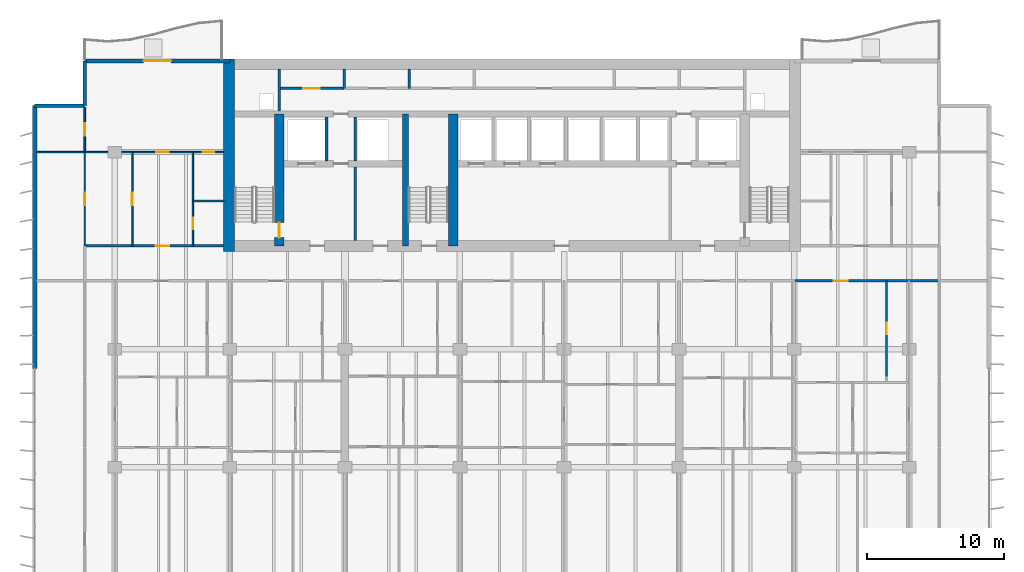
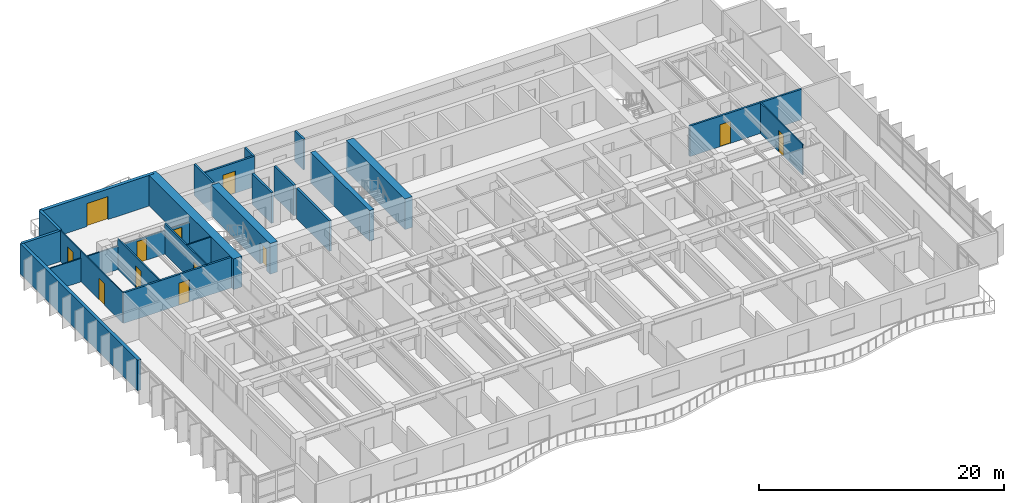
# One storey, part 10 of 17: 24 walls, 12 doors, 12 openings.
"""IFC4 building model written with IfcOpenShell, lengths in metres."""

from ifc_helpers import new_model, si_unit, direction, frame, frame_2d, origin, place, context, subcontext, project, spatial, rectangle, extrude, material, layer, layer_set, type_object, element, fill, save


model = new_model("IFC4")

# Units and contexts
model_context = context("Model", 3, precision=1e-05, world=origin(), true_north=direction((0.0, 1.0)))
body_context = subcontext(model_context, "Body", "Model", "MODEL_VIEW")
ifc_project = project(units=[si_unit("LENGTHUNIT", "METRE"), si_unit("AREAUNIT", "SQUARE_METRE"), si_unit("VOLUMEUNIT", "CUBIC_METRE"), si_unit("PLANEANGLEUNIT", "RADIAN"), si_unit("MASSUNIT", "GRAM", prefix="KILO")], contexts=[model_context])

# Site, building, storey
site_placement = place(None, origin())
site = spatial("IfcSite", under=ifc_project, at=site_placement, CompositionType="ELEMENT")
building_placement = place(site_placement, origin())
building = spatial("IfcBuilding", under=site, at=building_placement, Name="Caelmar Bay Residences", CompositionType="ELEMENT")
storey_placement = place(building_placement, frame((0.0, 0.0, 87.89990234375)))
storey = spatial("IfcBuildingStorey", under=building, at=storey_placement, Name="L23", CompositionType="ELEMENT", Elevation=87.89990234375)

# Wall, opening, door
ifc_material_1 = material(Name="Concrete f'c 55 MPa (8,000 psi)", Category="concrete")
ifc_layer_1 = layer(ifc_material_1, 0.699951171875)
ifc_layer_set_1 = layer_set([ifc_layer_1], Name="Concrete f'c 55 MPa (8,000 psi)")
wall_type_1 = type_object("IfcWallType", Name="SW-COR-700", PredefinedType="SHEAR", material=ifc_layer_set_1)
wall_1_placement = place(storey_placement, frame((21.89990234375, 36.949951171875, 0.0), z_axis=(0.0, 0.0, 1.0), x_axis=(0.0, 1.0, 0.0)))
wall_1 = element("IfcWall", 1, at=wall_1_placement, inside=storey, type_object=wall_type_1, Name="L23 Core Structural Web Wall ST1E", PredefinedType="SHEAR", context=body_context, shape_type="SweptSolid", body=[
    extrude(rectangle(XDim=9.625, YDim=0.699951171875, at=frame_2d((4.8125, 0.0))), origin(), (0.0, 0.0, 1.0), 3.050048828125),
])
opening_1_placement = place(wall_1_placement, frame((0.60009765625, 0.0, 0.0)))
opening_1 = element("IfcOpeningElement", 2, at=opening_1_placement, cuts=wall_1, Name="Opening D-L23-108", PredefinedType="OPENING", context=body_context, shape_type="SweptSolid", body=[
    extrude(rectangle(XDim=1.10009765625, YDim=2.14990234375, at=frame_2d((0.550048828125, 1.074951171875))), frame((0.0, 0.35986328125, 0.0), z_axis=(0.0, -1.0, 0.0), x_axis=(1.0, 0.0, 0.0)), (0.0, 0.0, 1.0), 0.719970703125),
])
ifc_material_2 = material(Name="Fire-rated steel and walnut architectural door assembly", Category="steel")
ifc_layer_2 = layer(ifc_material_2, 0.050048828125)
ifc_layer_set_2 = layer_set([ifc_layer_2], Name="Fire-rated steel and walnut architectural door assembly")
door_type_1 = type_object("IfcDoorType", Name="D-STAIR-1100", OperationType="NOTDEFINED", PredefinedType="DOOR", material=ifc_layer_set_2)
door_1_placement = place(opening_1_placement, origin())
door_1 = element("IfcDoor", 3, at=door_1_placement, inside=storey, type_object=door_type_1, Name="L23 Firefighting Lobby West Door", OperationType="SINGLE_SWING_RIGHT", OverallHeight=2.14990234375, OverallWidth=1.10009765625, PredefinedType="DOOR", context=body_context, shape_type="SweptSolid", body=[
    extrude(rectangle(XDim=1.10009765625, YDim=2.14990234375, at=frame_2d((0.550048828125, 1.074951171875))), frame((0.0, 0.02490234375, 0.0), z_axis=(0.0, -1.0, 0.0), x_axis=(1.0, 0.0, 0.0)), (0.0, 0.0, 1.0), 0.050048828125),
])
fill(opening_1, door_1)

# Walls
wall_2_placement = place(storey_placement, frame((34.60009765625, 36.949951171875, 0.0), z_axis=(0.0, 0.0, 1.0), x_axis=(0.0, 1.0, 0.0)))
element("IfcWall", 4, at=wall_2_placement, inside=storey, type_object=wall_type_1, Name="L23 Core Structural Web Wall ST3E", PredefinedType="SHEAR", context=body_context, shape_type="SweptSolid", body=[
    extrude(rectangle(XDim=9.625, YDim=0.699951171875, at=frame_2d((4.8125, 0.0))), origin(), (0.0, 0.0, 1.0), 3.050048828125),
])
ifc_material_3 = material(Name="Concrete f'c 70 MPa (10,000 psi)", Category="concrete")
ifc_layer_3 = layer(ifc_material_3, 0.800048828125)
ifc_layer_set_3 = layer_set([ifc_layer_3], Name="Concrete f'c 70 MPa (10,000 psi)")
wall_type_2 = type_object("IfcWallType", Name="SW-COR-800", PredefinedType="SHEAR", material=ifc_layer_set_3)
wall_3_placement = place(storey_placement, frame((18.25, 36.550048828125, 0.0), z_axis=(0.0, 0.0, 1.0), x_axis=(0.0, 1.0, 0.0)))
element("IfcWall", 5, at=wall_3_placement, inside=storey, type_object=wall_type_2, Name="L23 Rear Core West Shear Wall", PredefinedType="SHEAR", context=body_context, shape_type="SweptSolid", body=[
    extrude(rectangle(XDim=14.050048828125, YDim=0.800048828125, at=frame_2d((7.02490234375, 0.0))), origin(), (0.0, 0.0, 1.0), 3.050048828125),
])
ifc_layer_4 = layer(ifc_material_3, 0.449951171875)
ifc_layer_set_4 = layer_set([ifc_layer_4], Name="Concrete f'c 70 MPa (10,000 psi)")
wall_type_3 = type_object("IfcWallType", Name="SW-WEB-450", PredefinedType="SHEAR", material=ifc_layer_set_4)
wall_4_placement = place(storey_placement, frame((31.125, 36.949951171875, 0.0), z_axis=(0.0, 0.0, 1.0), x_axis=(0.0, 1.0, 0.0)))
element("IfcWall", 6, at=wall_4_placement, inside=storey, type_object=wall_type_3, Name="L23 Core Structural Web Wall ST3W", PredefinedType="SHEAR", context=body_context, shape_type="SweptSolid", body=[
    extrude(rectangle(XDim=9.625, YDim=0.449951171875, at=frame_2d((4.8125, 0.0))), origin(), (0.0, 0.0, 1.0), 3.050048828125),
])
ifc_material_4 = material(Name="Double-stud acoustic fire-rated gypsum partition 180 mm")
ifc_layer_5 = layer(ifc_material_4, 0.179931640625)
ifc_layer_set_5 = layer_set([ifc_layer_5], Name="Double-stud acoustic fire-rated gypsum partition 180 mm")
wall_type_4 = type_object("IfcWallType", Name="W-COR-200", PredefinedType="PARTITIONING", material=ifc_layer_set_5)
for number, where, z_axis, x_axis, name in (
    (7, (26.64990234375, 48.449951171875, 0.0), (0.0, 0.0, 1.0), (0.0, 1.0, 0.0), "L23 Partition Wall V033"),
    (8, (31.39990234375, 48.449951171875, 0.0), (0.0, 0.0, 1.0), (0.0, 1.0, 0.0), "L23 Partition Wall V043"),
):
    element("IfcWall", number, at=place(storey_placement, frame(where, z_axis=z_axis, x_axis=x_axis)), inside=storey, type_object=wall_type_4, Name=name, PredefinedType="PARTITIONING", context=body_context, shape_type="SweptSolid", body=[
        extrude(rectangle(XDim=1.405029296875, YDim=0.179931640625, at=frame_2d((0.70263671875, 0.0))), origin(), (0.0, 0.0, 1.0), 3.050048828125),
    ])

# Wall, opening, door
wall_5_placement = place(storey_placement, frame((59.550048828125, 34.39990234375, 0.0), z_axis=(0.0, 0.0, 1.0), x_axis=(1.0, 0.0, 0.0)))
wall_5 = element("IfcWall", 9, at=wall_5_placement, inside=storey, type_object=wall_type_4, Name="L23 Partition Wall H134", PredefinedType="PARTITIONING", context=body_context, shape_type="SweptSolid", body=[
    extrude(rectangle(XDim=10.550048828125, YDim=0.179931640625, at=frame_2d((5.27490234375, 0.0))), origin(), (0.0, 0.0, 1.0), 3.050048828125),
])
opening_2_placement = place(wall_5_placement, frame((2.85009765625, 0.0, 0.0)))
opening_2 = element("IfcOpeningElement", 10, at=opening_2_placement, cuts=wall_5, Name="Opening D-L23-161", PredefinedType="OPENING", context=body_context, shape_type="SweptSolid", body=[
    extrude(rectangle(XDim=1.0, YDim=2.199951171875, at=frame_2d((0.5, 1.10009765625))), frame((0.0, 0.099853515625, 0.0), z_axis=(0.0, -1.0, 0.0), x_axis=(1.0, 0.0, 0.0)), (0.0, 0.0, 1.0), 0.199951171875),
])
ifc_layer_6 = layer(ifc_material_2, 0.050048828125)
ifc_layer_set_6 = layer_set([ifc_layer_6], Name="Fire-rated steel and walnut architectural door assembly")
door_type_2 = type_object("IfcDoorType", Name="D-UNIT-1000", OperationType="NOTDEFINED", PredefinedType="DOOR", material=ifc_layer_set_6)
door_2_placement = place(opening_2_placement, origin())
door_2 = element("IfcDoor", 11, at=door_2_placement, inside=storey, type_object=door_type_2, Name="L23 Residence 06 Apartment Hall Door", OperationType="SINGLE_SWING_LEFT", OverallHeight=2.199951171875, OverallWidth=1.0, PredefinedType="DOOR", context=body_context, shape_type="SweptSolid", body=[
    extrude(rectangle(XDim=1.0, YDim=2.199951171875, at=frame_2d((0.5, 1.10009765625))), frame((0.0, 0.02490234375, 0.0), z_axis=(0.0, -1.0, 0.0), x_axis=(1.0, 0.0, 0.0)), (0.0, 0.0, 1.0), 0.050048828125),
])
fill(opening_2, door_2)

wall_6_placement = place(storey_placement, frame((7.699951171875, 36.949951171875, 0.0), z_axis=(0.0, 0.0, 1.0), x_axis=(1.0, 0.0, 0.0)))
wall_6 = element("IfcWall", 12, at=wall_6_placement, inside=storey, type_object=wall_type_4, Name="L23 Partition Wall H136", PredefinedType="PARTITIONING", context=body_context, shape_type="SweptSolid", body=[
    extrude(rectangle(XDim=10.14501953125, YDim=0.179931640625, at=frame_2d((5.072509765625, 0.0))), origin(), (0.0, 0.0, 1.0), 3.050048828125),
])
opening_3_placement = place(wall_6_placement, frame((5.18798828125, 0.0, 0.0)))
opening_3 = element("IfcOpeningElement", 13, at=opening_3_placement, cuts=wall_6, Name="Opening D-L23-172", PredefinedType="OPENING", context=body_context, shape_type="SweptSolid", body=[
    extrude(rectangle(XDim=1.0, YDim=2.199951171875, at=frame_2d((0.5, 1.10009765625))), frame((0.0, 0.099853515625, 0.0), z_axis=(0.0, -1.0, 0.0), x_axis=(1.0, 0.0, 0.0)), (0.0, 0.0, 1.0), 0.199951171875),
])
door_3_placement = place(opening_3_placement, origin())
door_3 = element("IfcDoor", 14, at=door_3_placement, inside=storey, type_object=door_type_2, Name="L23 Residence WA Kitchen Door", OperationType="SINGLE_SWING_RIGHT", OverallHeight=2.199951171875, OverallWidth=1.0, PredefinedType="DOOR", context=body_context, shape_type="SweptSolid", body=[
    extrude(rectangle(XDim=1.0, YDim=2.199951171875, at=frame_2d((0.5, 1.10009765625))), frame((0.0, 0.02490234375, 0.0), z_axis=(0.0, -1.0, 0.0), x_axis=(1.0, 0.0, 0.0)), (0.0, 0.0, 1.0), 0.050048828125),
])
fill(opening_3, door_3)

wall_7_placement = place(storey_placement, frame((21.89990234375, 48.449951171875, 0.0), z_axis=(0.0, 0.0, 1.0), x_axis=(1.0, 0.0, 0.0)))
wall_7 = element("IfcWall", 15, at=wall_7_placement, inside=storey, type_object=wall_type_4, Name="L23 Partition Wall H142", PredefinedType="PARTITIONING", context=body_context, shape_type="SweptSolid", body=[
    extrude(rectangle(XDim=4.75, YDim=0.179931640625, at=frame_2d((2.375, 0.0))), origin(), (0.0, 0.0, 1.0), 3.050048828125),
])
opening_4_placement = place(wall_7_placement, frame((1.77490234375, 0.0, 0.0)))
opening_4 = element("IfcOpeningElement", 16, at=opening_4_placement, cuts=wall_7, Name="Opening D-L23-117", PredefinedType="OPENING", context=body_context, shape_type="SweptSolid", body=[
    extrude(rectangle(XDim=1.199951171875, YDim=2.199951171875, at=frame_2d((0.60009765625, 1.10009765625))), frame((0.0, 0.099853515625, 0.0), z_axis=(0.0, -1.0, 0.0), x_axis=(1.0, 0.0, 0.0)), (0.0, 0.0, 1.0), 0.199951171875),
])
ifc_layer_7 = layer(ifc_material_2, 0.050048828125)
ifc_layer_set_7 = layer_set([ifc_layer_7], Name="Fire-rated steel and walnut architectural door assembly")
door_type_3 = type_object("IfcDoorType", Name="D-PLANT-1200", OperationType="NOTDEFINED", PredefinedType="DOOR", material=ifc_layer_set_7)
door_4_placement = place(opening_4_placement, origin())
door_4 = element("IfcDoor", 17, at=door_4_placement, inside=storey, type_object=door_type_3, Name="L23 Branch Panel Closet Door", OperationType="SINGLE_SWING_LEFT", OverallHeight=2.199951171875, OverallWidth=1.199951171875, PredefinedType="DOOR", context=body_context, shape_type="SweptSolid", body=[
    extrude(rectangle(XDim=1.199951171875, YDim=2.199951171875, at=frame_2d((0.60009765625, 1.10009765625))), frame((0.0, 0.02490234375, 0.0), z_axis=(0.0, -1.0, 0.0), x_axis=(1.0, 0.0, 0.0)), (0.0, 0.0, 1.0), 0.050048828125),
])
fill(opening_4, door_4)

# Walls
ifc_material_5 = material(Name="Precast concrete f'c 40 MPa (6,000 psi)", Category="concrete")
ifc_layer_8 = layer(ifc_material_5, 0.25)
ifc_layer_set_8 = layer_set([ifc_layer_8], Name="Precast concrete f'c 40 MPa (6,000 psi)")
wall_type_5 = type_object("IfcWallType", Name="W-EXT-250", PredefinedType="ELEMENTEDWALL", material=ifc_layer_set_8)
wall_8_placement = place(storey_placement, frame((4.050048828125, 47.199951171875, 0.0), z_axis=(0.0, 0.0, 1.0), x_axis=(1.0, 0.0, 0.0)))
element("IfcWall", 18, at=wall_8_placement, inside=storey, type_object=wall_type_5, Name="L23 NNW-H Notch Wall", PredefinedType="ELEMENTEDWALL", context=body_context, shape_type="SweptSolid", body=[
    extrude(rectangle(XDim=3.64990234375, YDim=0.25, at=frame_2d((1.824951171875, 0.0))), origin(), (0.0, 0.0, 1.0), 3.050048828125),
])
wall_9_placement = place(storey_placement, frame((7.699951171875, 47.199951171875, 0.0), z_axis=(0.0, 0.0, 1.0), x_axis=(0.0, 1.0, 0.0)))
element("IfcWall", 19, at=wall_9_placement, inside=storey, type_object=wall_type_5, Name="L23 NNW-V Notch Wall", PredefinedType="ELEMENTEDWALL", context=body_context, shape_type="SweptSolid", body=[
    extrude(rectangle(XDim=3.25, YDim=0.25, at=frame_2d((1.625, 0.0))), origin(), (0.0, 0.0, 1.0), 3.050048828125),
])
ifc_layer_9 = layer(ifc_material_5, 0.300048828125)
ifc_layer_set_9 = layer_set([ifc_layer_9], Name="Precast concrete f'c 40 MPa (6,000 psi)")
wall_type_6 = type_object("IfcWallType", Name="W-EXT-300", PredefinedType="STANDARD", material=ifc_layer_set_9)
wall_10_placement = place(storey_placement, frame((4.050048828125, 28.0, 0.0), z_axis=(0.0, 0.0, 1.0), x_axis=(0.0, 1.0, 0.0)))
element("IfcWall", 20, at=wall_10_placement, inside=storey, type_object=wall_type_6, Name="L23 West Rear Exterior Wall", PredefinedType="STANDARD", context=body_context, shape_type="SweptSolid", body=[
    extrude(rectangle(XDim=19.199951171875, YDim=0.300048828125, at=frame_2d((9.60009765625, 0.0))), origin(), (0.0, 0.0, 1.0), 3.050048828125),
])

# Wall, opening, door
wall_11_placement = place(storey_placement, frame((7.699951171875, 50.449951171875, 0.0), z_axis=(0.0, 0.0, 1.0), x_axis=(1.0, 0.0, 0.0)))
wall_11 = element("IfcWall", 21, at=wall_11_placement, inside=storey, type_object=wall_type_6, Name="L23 North-West Wing Exterior Wall", PredefinedType="STANDARD", context=body_context, shape_type="SweptSolid", body=[
    extrude(rectangle(XDim=10.60009765625, YDim=0.300048828125, at=frame_2d((5.300048828125, 0.0))), origin(), (0.0, 0.0, 1.0), 3.050048828125),
])
opening_5_placement = place(wall_11_placement, frame((4.300048828125, 0.0, 0.0)))
opening_5 = element("IfcOpeningElement", 22, at=opening_5_placement, cuts=wall_11, Name="Opening L23-BDNW", PredefinedType="OPENING", context=body_context, shape_type="SweptSolid", body=[
    extrude(rectangle(XDim=2.0, YDim=2.300048828125, at=frame_2d((1.0, 1.14990234375))), frame((0.0, 0.159912109375, 0.0), z_axis=(0.0, -1.0, 0.0), x_axis=(1.0, 0.0, 0.0)), (0.0, 0.0, 1.0), 0.320068359375),
])
ifc_material_6 = material(Name="Anodised bronze thermally broken sliding glass door", Category="glass")
ifc_layer_10 = layer(ifc_material_6, 0.050048828125)
ifc_layer_set_10 = layer_set([ifc_layer_10], Name="Anodised bronze thermally broken sliding glass door")
door_type_4 = type_object("IfcDoorType", Name="D-BAL-2000", OperationType="DOUBLE_DOOR_SLIDING", PredefinedType="DOOR", material=ifc_layer_set_10)
door_5_placement = place(opening_5_placement, origin())
door_5 = element("IfcDoor", 23, at=door_5_placement, inside=storey, type_object=door_type_4, Name="L23 North-West Balcony Door", OperationType="DOUBLE_DOOR_SLIDING", OverallHeight=2.300048828125, OverallWidth=2.0, PredefinedType="DOOR", context=body_context, shape_type="SweptSolid", body=[
    extrude(rectangle(XDim=2.0, YDim=2.300048828125, at=frame_2d((1.0, 1.14990234375))), frame((0.0, 0.02490234375, 0.0), z_axis=(0.0, -1.0, 0.0), x_axis=(1.0, 0.0, 0.0)), (0.0, 0.0, 1.0), 0.050048828125),
])
fill(opening_5, door_5)

# Walls
ifc_material_7 = material(Name="Fire-rated masonry and gypsum shaftliner assembly 200 mm", Category="masonry")
ifc_layer_11 = layer(ifc_material_7, 0.199951171875)
ifc_layer_set_11 = layer_set([ifc_layer_11], Name="Fire-rated masonry and gypsum shaftliner assembly 200 mm")
wall_type_7 = type_object("IfcWallType", Name="W-FSAE-200", PredefinedType="PARTITIONING", material=ifc_layer_set_11)
wall_12_placement = place(storey_placement, frame((21.89990234375, 46.794921875, 0.0), z_axis=(0.0, 0.0, 1.0), x_axis=(0.0, 1.0, 0.0)))
element("IfcWall", 24, at=wall_12_placement, inside=storey, type_object=wall_type_7, Name="L23 Partition Wall V025", PredefinedType="PARTITIONING", context=body_context, shape_type="SweptSolid", body=[
    extrude(rectangle(XDim=3.06005859375, YDim=0.199951171875, at=frame_2d((1.530029296875, 0.0))), origin(), (0.0, 0.0, 1.0), 3.050048828125),
])
wall_13_placement = place(storey_placement, frame((25.35009765625, 43.169921875, 0.0), z_axis=(0.0, 0.0, 1.0), x_axis=(0.0, 1.0, 0.0)))
element("IfcWall", 25, at=wall_13_placement, inside=storey, type_object=wall_type_7, Name="L23 Partition Wall V032", PredefinedType="PARTITIONING", context=body_context, shape_type="SweptSolid", body=[
    extrude(rectangle(XDim=3.18505859375, YDim=0.199951171875, at=frame_2d((1.592529296875, 0.0))), origin(), (0.0, 0.0, 1.0), 3.050048828125),
])
wall_14_placement = place(storey_placement, frame((27.449951171875, 37.344970703125, 0.0), z_axis=(0.0, 0.0, 1.0), x_axis=(0.0, 1.0, 0.0)))
element("IfcWall", 26, at=wall_14_placement, inside=storey, type_object=wall_type_7, Name="L23 Partition Wall V037", PredefinedType="PARTITIONING", context=body_context, shape_type="SweptSolid", body=[
    extrude(rectangle(XDim=5.385009765625, YDim=0.199951171875, at=frame_2d((2.6923828125, 0.0))), origin(), (0.0, 0.0, 1.0), 3.050048828125),
])
wall_15_placement = place(storey_placement, frame((27.449951171875, 43.169921875, 0.0), z_axis=(0.0, 0.0, 1.0), x_axis=(0.0, 1.0, 0.0)))
element("IfcWall", 27, at=wall_15_placement, inside=storey, type_object=wall_type_7, Name="L23 Partition Wall V038", PredefinedType="PARTITIONING", context=body_context, shape_type="SweptSolid", body=[
    extrude(rectangle(XDim=3.18505859375, YDim=0.199951171875, at=frame_2d((1.592529296875, 0.0))), origin(), (0.0, 0.0, 1.0), 3.050048828125),
])

# Wall, opening, door
ifc_material_8 = material(Name="Anodised bronze framed acoustic sliding study partition 100 mm")
ifc_layer_12 = layer(ifc_material_8, 0.10009765625)
ifc_layer_set_12 = layer_set([ifc_layer_12], Name="Anodised bronze framed acoustic sliding study partition 100 mm")
wall_type_8 = type_object("IfcWallType", Name="W-MOV-100", PredefinedType="MOVABLE", material=ifc_layer_set_12)
wall_16_placement = place(storey_placement, frame((7.699951171875, 36.955078125, 0.0), z_axis=(0.0, 0.0, 1.0), x_axis=(0.0, 1.0, 0.0)))
wall_16 = element("IfcWall", 28, at=wall_16_placement, inside=storey, type_object=wall_type_8, Name="L23 Partition Wall V006", PredefinedType="MOVABLE", context=body_context, shape_type="SweptSolid", body=[
    extrude(rectangle(XDim=6.844970703125, YDim=0.10009765625, at=frame_2d((3.42236328125, 0.0))), origin(), (0.0, 0.0, 1.0), 3.050048828125),
])
opening_6_placement = place(wall_16_placement, frame((2.972412109375, 0.0, 0.0)))
opening_6 = element("IfcOpeningElement", 29, at=opening_6_placement, cuts=wall_16, Name="Opening D-L23-176", PredefinedType="OPENING", context=body_context, shape_type="SweptSolid", body=[
    extrude(rectangle(XDim=0.89990234375, YDim=2.14990234375, at=frame_2d((0.449951171875, 1.074951171875))), frame((0.0, 0.06005859375, 0.0), z_axis=(0.0, -1.0, 0.0), x_axis=(1.0, 0.0, 0.0)), (0.0, 0.0, 1.0), 0.1201171875),
])
ifc_material_9 = material(Name="Solid walnut timber interior door leaf and frame", Category="wood")
ifc_layer_13 = layer(ifc_material_9, 0.050048828125)
ifc_layer_set_13 = layer_set([ifc_layer_13], Name="Solid walnut timber interior door leaf and frame")
door_type_5 = type_object("IfcDoorType", Name="D-ROOM-900", OperationType="NOTDEFINED", PredefinedType="DOOR", material=ifc_layer_set_13)
door_6_placement = place(opening_6_placement, origin())
door_6 = element("IfcDoor", 30, at=door_6_placement, inside=storey, type_object=door_type_5, Name="L23 Residence WA Sun Study Door", OperationType="SINGLE_SWING_RIGHT", OverallHeight=2.14990234375, OverallWidth=0.89990234375, PredefinedType="DOOR", context=body_context, shape_type="SweptSolid", body=[
    extrude(rectangle(XDim=0.89990234375, YDim=2.14990234375, at=frame_2d((0.449951171875, 1.074951171875))), frame((0.0, 0.02490234375, 0.0), z_axis=(0.0, -1.0, 0.0), x_axis=(1.0, 0.0, 0.0)), (0.0, 0.0, 1.0), 0.050048828125),
])
fill(opening_6, door_6)

ifc_material_10 = material(Name="Acoustic metal-stud gypsum partition 120 mm")
ifc_layer_14 = layer(ifc_material_10, 0.1201171875)
ifc_layer_set_14 = layer_set([ifc_layer_14], Name="Acoustic metal-stud gypsum partition 120 mm")
wall_type_9 = type_object("IfcWallType", Name="W-PRT-120", PredefinedType="PARTITIONING", material=ifc_layer_set_14)
wall_17_placement = place(storey_placement, frame((7.699951171875, 43.804931640625, 0.0), z_axis=(0.0, 0.0, 1.0), x_axis=(0.0, 1.0, 0.0)))
wall_17 = element("IfcWall", 31, at=wall_17_placement, inside=storey, type_object=wall_type_9, Name="L23 Partition Wall V007", PredefinedType="PARTITIONING", context=body_context, shape_type="SweptSolid", body=[
    extrude(rectangle(XDim=3.275146484375, YDim=0.1201171875, at=frame_2d((1.6376953125, 0.0))), origin(), (0.0, 0.0, 1.0), 3.050048828125),
])
opening_7_placement = place(wall_17_placement, frame((1.1875, 0.0, 0.0)))
opening_7 = element("IfcOpeningElement", 32, at=opening_7_placement, cuts=wall_17, Name="Opening D-L23-177", PredefinedType="OPENING", context=body_context, shape_type="SweptSolid", body=[
    extrude(rectangle(XDim=0.89990234375, YDim=2.14990234375, at=frame_2d((0.449951171875, 1.074951171875))), frame((0.0, 0.070068359375, 0.0), z_axis=(0.0, -1.0, 0.0), x_axis=(1.0, 0.0, 0.0)), (0.0, 0.0, 1.0), 0.14013671875),
])
door_7_placement = place(opening_7_placement, origin())
door_7 = element("IfcDoor", 33, at=door_7_placement, inside=storey, type_object=door_type_5, Name="L23 Residence WA North Sitting Alcove Door", OperationType="SINGLE_SWING_LEFT", OverallHeight=2.14990234375, OverallWidth=0.89990234375, PredefinedType="DOOR", context=body_context, shape_type="SweptSolid", body=[
    extrude(rectangle(XDim=0.89990234375, YDim=2.14990234375, at=frame_2d((0.449951171875, 1.074951171875))), frame((0.0, 0.02490234375, 0.0), z_axis=(0.0, -1.0, 0.0), x_axis=(1.0, 0.0, 0.0)), (0.0, 0.0, 1.0), 0.050048828125),
])
fill(opening_7, door_7)

wall_18_placement = place(storey_placement, frame((11.176025390625, 36.949951171875, 0.0), z_axis=(0.0, 0.0, 1.0), x_axis=(0.0, 1.0, 0.0)))
wall_18 = element("IfcWall", 34, at=wall_18_placement, inside=storey, type_object=wall_type_9, Name="L23 Partition Wall V013", PredefinedType="PARTITIONING", context=body_context, shape_type="SweptSolid", body=[
    extrude(rectangle(XDim=6.85009765625, YDim=0.1201171875, at=frame_2d((3.425048828125, 0.0))), origin(), (0.0, 0.0, 1.0), 3.050048828125),
])
opening_8_placement = place(wall_18_placement, frame((2.97509765625, 0.0, 0.0)))
opening_8 = element("IfcOpeningElement", 35, at=opening_8_placement, cuts=wall_18, Name="Opening D-L23-171", PredefinedType="OPENING", context=body_context, shape_type="SweptSolid", body=[
    extrude(rectangle(XDim=0.89990234375, YDim=2.14990234375, at=frame_2d((0.449951171875, 1.074951171875))), frame((0.0, 0.070068359375, 0.0), z_axis=(0.0, -1.0, 0.0), x_axis=(1.0, 0.0, 0.0)), (0.0, 0.0, 1.0), 0.14013671875),
])
door_8_placement = place(opening_8_placement, origin())
door_8 = element("IfcDoor", 36, at=door_8_placement, inside=storey, type_object=door_type_5, Name="L23 Residence WA Dining Room Door", OperationType="SINGLE_SWING_LEFT", OverallHeight=2.14990234375, OverallWidth=0.89990234375, PredefinedType="DOOR", context=body_context, shape_type="SweptSolid", body=[
    extrude(rectangle(XDim=0.89990234375, YDim=2.14990234375, at=frame_2d((0.449951171875, 1.074951171875))), frame((0.0, 0.02490234375, 0.0), z_axis=(0.0, -1.0, 0.0), x_axis=(1.0, 0.0, 0.0)), (0.0, 0.0, 1.0), 0.050048828125),
])
fill(opening_8, door_8)

wall_19_placement = place(storey_placement, frame((15.60009765625, 36.949951171875, 0.0), z_axis=(0.0, 0.0, 1.0), x_axis=(0.0, 1.0, 0.0)))
wall_19 = element("IfcWall", 37, at=wall_19_placement, inside=storey, type_object=wall_type_9, Name="L23 Partition Wall V018", PredefinedType="PARTITIONING", context=body_context, shape_type="SweptSolid", body=[
    extrude(rectangle(XDim=6.85009765625, YDim=0.1201171875, at=frame_2d((3.425048828125, 0.0))), origin(), (0.0, 0.0, 1.0), 3.050048828125),
])
opening_9_placement = place(wall_19_placement, frame((1.218994140625, 0.0, 0.0)))
opening_9 = element("IfcOpeningElement", 38, at=opening_9_placement, cuts=wall_19, Name="Opening D-L23-174", PredefinedType="OPENING", context=body_context, shape_type="SweptSolid", body=[
    extrude(rectangle(XDim=0.85009765625, YDim=2.10009765625, at=frame_2d((0.425048828125, 1.050048828125))), frame((0.0, 0.070068359375, 0.0), z_axis=(0.0, -1.0, 0.0), x_axis=(1.0, 0.0, 0.0)), (0.0, 0.0, 1.0), 0.14013671875),
])
ifc_layer_15 = layer(ifc_material_9, 0.050048828125)
ifc_layer_set_15 = layer_set([ifc_layer_15], Name="Solid walnut timber interior door leaf and frame")
door_type_6 = type_object("IfcDoorType", Name="D-BATH-850", OperationType="NOTDEFINED", PredefinedType="DOOR", material=ifc_layer_set_15)
door_9_placement = place(opening_9_placement, origin())
door_9 = element("IfcDoor", 39, at=door_9_placement, inside=storey, type_object=door_type_6, Name="L23 Residence WA Walk-In Closet Door", OperationType="SINGLE_SWING_RIGHT", OverallHeight=2.10009765625, OverallWidth=0.85009765625, PredefinedType="DOOR", context=body_context, shape_type="SweptSolid", body=[
    extrude(rectangle(XDim=0.85009765625, YDim=2.10009765625, at=frame_2d((0.425048828125, 1.050048828125))), frame((0.0, 0.02490234375, 0.0), z_axis=(0.0, -1.0, 0.0), x_axis=(1.0, 0.0, 0.0)), (0.0, 0.0, 1.0), 0.050048828125),
])
fill(opening_9, door_9)

wall_20_placement = place(storey_placement, frame((66.25, 27.43994140625, 0.0), z_axis=(0.0, 0.0, 1.0), x_axis=(0.0, 1.0, 0.0)))
wall_20 = element("IfcWall", 40, at=wall_20_placement, inside=storey, type_object=wall_type_9, Name="L23 Partition Wall V091", PredefinedType="PARTITIONING", context=body_context, shape_type="SweptSolid", body=[
    extrude(rectangle(XDim=6.9599609375, YDim=0.1201171875, at=frame_2d((3.47998046875, 0.0))), origin(), (0.0, 0.0, 1.0), 3.050048828125),
])
opening_10_placement = place(wall_20_placement, frame((3.054931640625, 0.0, 0.0)))
opening_10 = element("IfcOpeningElement", 41, at=opening_10_placement, cuts=wall_20, Name="Opening D-L23-162", PredefinedType="OPENING", context=body_context, shape_type="SweptSolid", body=[
    extrude(rectangle(XDim=0.85009765625, YDim=2.10009765625, at=frame_2d((0.425048828125, 1.050048828125))), frame((0.0, 0.070068359375, 0.0), z_axis=(0.0, -1.0, 0.0), x_axis=(1.0, 0.0, 0.0)), (0.0, 0.0, 1.0), 0.14013671875),
])
door_10_placement = place(opening_10_placement, origin())
door_10 = element("IfcDoor", 42, at=door_10_placement, inside=storey, type_object=door_type_6, Name="L23 Residence 06 Bathroom Door", OperationType="SINGLE_SWING_RIGHT", OverallHeight=2.10009765625, OverallWidth=0.85009765625, PredefinedType="DOOR", context=body_context, shape_type="SweptSolid", body=[
    extrude(rectangle(XDim=0.85009765625, YDim=2.10009765625, at=frame_2d((0.425048828125, 1.050048828125))), frame((0.0, 0.02490234375, 0.0), z_axis=(0.0, -1.0, 0.0), x_axis=(1.0, 0.0, 0.0)), (0.0, 0.0, 1.0), 0.050048828125),
])
fill(opening_10, door_10)

# Wall
wall_21_placement = place(storey_placement, frame((15.60009765625, 40.238037109375, 0.0), z_axis=(0.0, 0.0, 1.0), x_axis=(1.0, 0.0, 0.0)))
element("IfcWall", 43, at=wall_21_placement, inside=storey, type_object=wall_type_9, Name="L23 Partition Wall H138", PredefinedType="PARTITIONING", context=body_context, shape_type="SweptSolid", body=[
    extrude(rectangle(XDim=2.2548828125, YDim=0.1201171875, at=frame_2d((1.12744140625, 0.0))), origin(), (0.0, 0.0, 1.0), 3.050048828125),
])

# Wall, openings, doors
wall_22_placement = place(storey_placement, frame((4.195068359375, 43.800048828125, 0.0), z_axis=(0.0, 0.0, 1.0), x_axis=(1.0, 0.0, 0.0)))
wall_22 = element("IfcWall", 44, at=wall_22_placement, inside=storey, type_object=wall_type_9, Name="L23 Partition Wall H140", PredefinedType="PARTITIONING", context=body_context, shape_type="SweptSolid", body=[
    extrude(rectangle(XDim=13.659912109375, YDim=0.1201171875, at=frame_2d((6.830078125, 0.0))), origin(), (0.0, 0.0, 1.0), 2.339111328125),
])
opening_11_placement = place(wall_22_placement, frame((8.742919921875, 0.0, 0.0)))
opening_11 = element("IfcOpeningElement", 45, at=opening_11_placement, cuts=wall_22, Name="Opening D-L23-173", PredefinedType="OPENING", context=body_context, shape_type="SweptSolid", body=[
    extrude(rectangle(XDim=0.89990234375, YDim=2.14990234375, at=frame_2d((0.449951171875, 1.074951171875))), frame((0.0, 0.070068359375, 0.0), z_axis=(0.0, -1.0, 0.0), x_axis=(1.0, 0.0, 0.0)), (0.0, 0.0, 1.0), 0.14013671875),
])
opening_12_placement = place(wall_22_placement, frame((12.107421875, 0.0, 0.0)))
opening_12 = element("IfcOpeningElement", 46, at=opening_12_placement, cuts=wall_22, Name="Opening D-L23-175", PredefinedType="OPENING", context=body_context, shape_type="SweptSolid", body=[
    extrude(rectangle(XDim=0.85009765625, YDim=2.10009765625, at=frame_2d((0.425048828125, 1.050048828125))), frame((0.0, 0.070068359375, 0.0), z_axis=(0.0, -1.0, 0.0), x_axis=(1.0, 0.0, 0.0)), (0.0, 0.0, 1.0), 0.14013671875),
])
door_11_placement = place(opening_12_placement, origin())
door_11 = element("IfcDoor", 47, at=door_11_placement, inside=storey, type_object=door_type_6, Name="L23 Residence WA Bathroom Door", OperationType="SINGLE_SWING_LEFT", OverallHeight=2.10009765625, OverallWidth=0.85009765625, PredefinedType="DOOR", context=body_context, shape_type="SweptSolid", body=[
    extrude(rectangle(XDim=0.85009765625, YDim=2.10009765625, at=frame_2d((0.425048828125, 1.050048828125))), frame((0.0, 0.02490234375, 0.0), z_axis=(0.0, -1.0, 0.0), x_axis=(1.0, 0.0, 0.0)), (0.0, 0.0, 1.0), 0.050048828125),
])
fill(opening_12, door_11)
door_12_placement = place(opening_11_placement, origin())
door_12 = element("IfcDoor", 48, at=door_12_placement, inside=storey, type_object=door_type_5, Name="L23 Residence WA Studio Living and Sleeping Room Door", OperationType="SINGLE_SWING_LEFT", OverallHeight=2.14990234375, OverallWidth=0.89990234375, PredefinedType="DOOR", context=body_context, shape_type="SweptSolid", body=[
    extrude(rectangle(XDim=0.89990234375, YDim=2.14990234375, at=frame_2d((0.449951171875, 1.074951171875))), frame((0.0, 0.02490234375, 0.0), z_axis=(0.0, -1.0, 0.0), x_axis=(1.0, 0.0, 0.0)), (0.0, 0.0, 1.0), 0.050048828125),
])
fill(opening_11, door_12)

save(model, "model.ifc")
